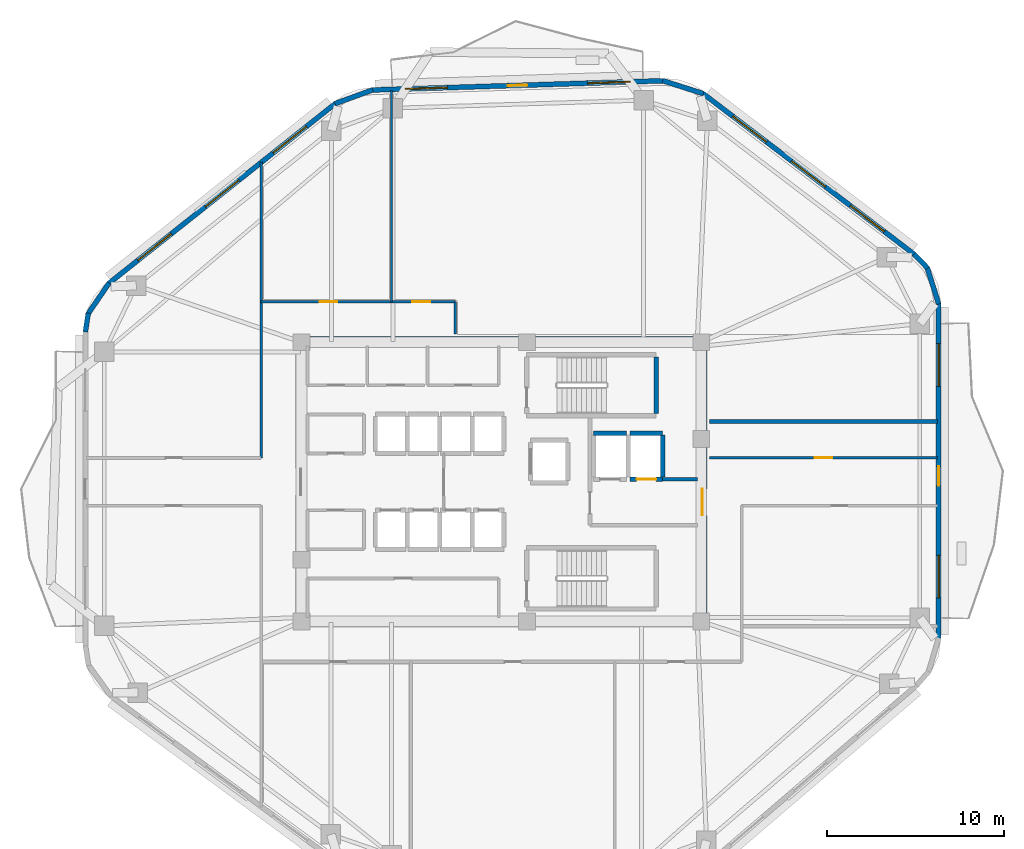
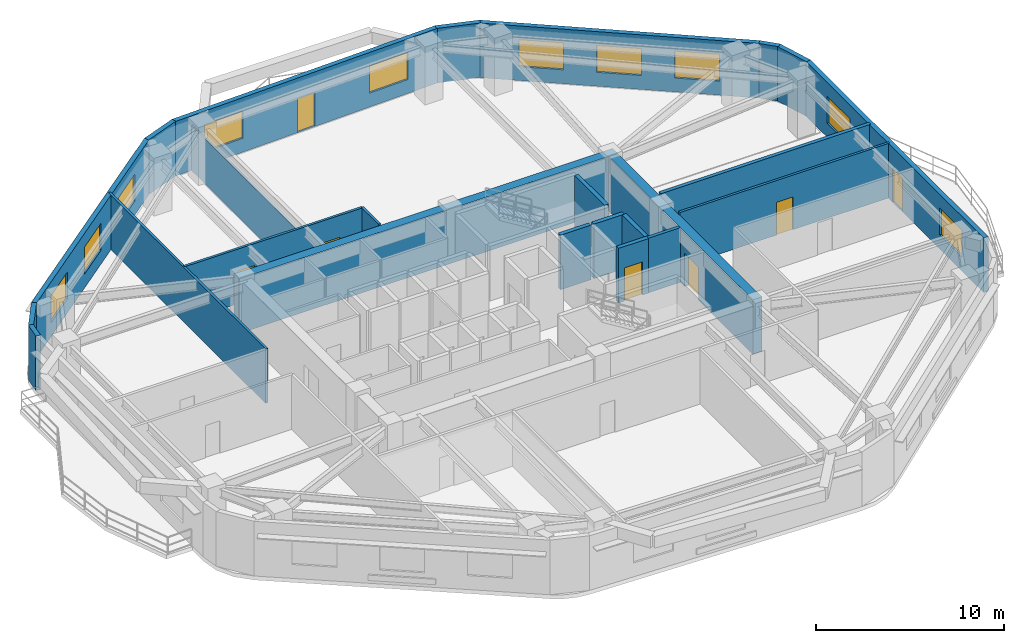
# One storey, part 5 of 8: 24 walls, 10 windows, 7 doors, 17 openings.
"""IFC4 building model written with IfcOpenShell, lengths in metres."""

from ifc_helpers import new_model, si_unit, direction, frame, frame_2d, origin, place, context, subcontext, project, spatial, rectangle, extrude, material, layer, layer_set, type_object, element, fill, save


model = new_model("IFC4")

# Units and contexts
model_context = context("Model", 3, precision=1e-05, world=origin(), true_north=direction((0.0, 1.0)))
body_context = subcontext(model_context, "Body", "Model", "MODEL_VIEW")
ifc_project = project(units=[si_unit("LENGTHUNIT", "METRE"), si_unit("AREAUNIT", "SQUARE_METRE"), si_unit("VOLUMEUNIT", "CUBIC_METRE"), si_unit("PLANEANGLEUNIT", "RADIAN"), si_unit("MASSUNIT", "GRAM", prefix="KILO")], contexts=[model_context])

# Site, building, storey
site_placement = place(None, origin())
site = spatial("IfcSite", under=ifc_project, at=site_placement, CompositionType="ELEMENT")
building_placement = place(site_placement, origin())
building = spatial("IfcBuilding", under=site, at=building_placement, Name="Zulverin Broadcast Headquarters", CompositionType="ELEMENT")
storey_placement = place(building_placement, frame((0.0, 0.0, 151.60009765625)))
storey = spatial("IfcBuildingStorey", under=building, at=storey_placement, Name="L38", CompositionType="ELEMENT", Elevation=151.60009765625)

# Walls
ifc_material_1 = material(Name="Double-stud acoustic drywall", Category="gypsum")
ifc_layer_1 = layer(ifc_material_1, 0.219970703125, Name="Double-stud acoustic drywall", Category="gypsum")
ifc_layer_set_1 = layer_set([ifc_layer_1], Name="Double-stud acoustic drywall")
wall_type_1 = type_object("IfcWallType", Name="WL-ACOU-220", PredefinedType="PARTITIONING", material=ifc_layer_set_1)
wall_1_placement = place(storey_placement, frame((48.739990234375, 28.60009765625, 0.0), z_axis=(0.0, 0.0, 1.0), x_axis=(1.0, 0.0, 0.0)))
element("IfcWall", 1, at=wall_1_placement, inside=storey, type_object=wall_type_1, Name="L38 Room Partition Wall RP-14", PredefinedType="PARTITIONING", context=body_context, shape_type="SweptSolid", body=[
    extrude(rectangle(XDim=12.85498046875, YDim=0.219970703125, at=frame_2d((6.427490234375, 0.0))), origin(), (0.0, 0.0, 1.0), 3.539794921875),
])
ifc_material_2 = material(Name="Concrete C60/75", Category="concrete")
ifc_layer_2 = layer(ifc_material_2, 0.550048828125, Name="Concrete C60/75", Category="concrete")
ifc_layer_set_2 = layer_set([ifc_layer_2], Name="Concrete C60/75")
wall_type_2 = type_object("IfcWallType", Name="WL-CORE-550", PredefinedType="SHEAR", material=ifc_layer_set_2)
wall_2_placement = place(storey_placement, frame((25.39990234375, 33.125, 0.0), z_axis=(0.0, 0.0, 1.0), x_axis=(1.0, 0.0, 0.0)))
element("IfcWall", 2, at=wall_2_placement, inside=storey, type_object=wall_type_2, Name="L38 Core North Shear Wall", PredefinedType="SHEAR", context=body_context, shape_type="SweptSolid", body=[
    extrude(rectangle(XDim=23.2001953125, YDim=0.550048828125, at=frame_2d((11.60009765625, 0.0))), origin(), (0.0, 0.0, 1.0), 3.539794921875),
])

# Wall, opening, door
wall_3_placement = place(storey_placement, frame((48.324951171875, 17.550048828125, 0.0), z_axis=(0.0, 0.0, 1.0), x_axis=(0.0, 1.0, 0.0)))
wall_3 = element("IfcWall", 3, at=wall_3_placement, inside=storey, type_object=wall_type_2, Name="L38 Core East Shear Wall", PredefinedType="SHEAR", context=body_context, shape_type="SweptSolid", body=[
    extrude(rectangle(XDim=15.300048828125, YDim=0.550048828125, at=frame_2d((7.64990234375, 0.0))), origin(), (0.0, 0.0, 1.0), 3.539794921875),
])
opening_1_placement = place(wall_3_placement, frame((5.75, 0.0, 0.0)))
opening_1 = element("IfcOpeningElement", 4, at=opening_1_placement, cuts=wall_3, Name="Opening D-L38-CE1", PredefinedType="OPENING", context=body_context, shape_type="SweptSolid", body=[
    extrude(rectangle(XDim=1.5, YDim=2.14990234375, at=frame_2d((0.75, 1.074951171875))), frame((0.0, 0.284912109375, 0.0), z_axis=(0.0, -1.0, 0.0), x_axis=(1.0, 0.0, 0.0)), (0.0, 0.0, 1.0), 0.570068359375),
])
ifc_material_3 = material(Name="Fire-rated glazed steel frame", Category="steel")
door_type_1 = type_object("IfcDoorType", Name="DR-COR-1500", OperationType="DOUBLE_DOOR_SINGLE_SWING", PredefinedType="DOOR", material=ifc_material_3)
door_1_placement = place(opening_1_placement, origin())
door_1 = element("IfcDoor", 5, at=door_1_placement, inside=storey, type_object=door_type_1, Name="L38 Firefighting Lobby East Corridor Door", OperationType="DOUBLE_DOOR_SINGLE_SWING", OverallHeight=2.14990234375, OverallWidth=1.5, PredefinedType="DOOR", context=body_context, shape_type="SweptSolid", body=[
    extrude(rectangle(XDim=1.5, YDim=2.14990234375, at=frame_2d((0.75, 1.074951171875))), frame((0.0, 0.02490234375, 0.0), z_axis=(0.0, -1.0, 0.0), x_axis=(1.0, 0.0, 0.0)), (0.0, 0.0, 1.0), 0.050048828125),
])
fill(opening_1, door_1)

# Wall, openings, door, windows
ifc_material_4 = material(Name="Insulated pale-metal clad concrete spandrel C40/50", Category="concrete")
ifc_layer_3 = layer(ifc_material_4, 0.280029296875, Name="Insulated pale-metal clad concrete spandrel C40/50", Category="concrete")
ifc_layer_set_3 = layer_set([ifc_layer_3], Name="Insulated pale-metal clad concrete spandrel C40/50")
wall_type_3 = type_object("IfcWallType", Name="WL-EXT-280", PredefinedType="STANDARD", material=ifc_layer_set_3)
wall_4_placement = place(storey_placement, frame((61.659912109375, 16.369384765625, 0.0), z_axis=(0.0, 0.0, 1.0), x_axis=(0.0, 1.0, 0.0)))
wall_4 = element("IfcWall", 6, at=wall_4_placement, inside=storey, type_object=wall_type_3, Name="L38 Pale-Metal Clad Spandrel Wall 3", PredefinedType="STANDARD", context=body_context, shape_type="SweptSolid", body=[
    extrude(rectangle(XDim=18.902099609375, YDim=0.280029296875, at=frame_2d((9.451171875, 0.0))), origin(), (0.0, 0.0, 1.0), 3.539794921875),
])
opening_2_placement = place(wall_4_placement, frame((8.60107421875, 0.0, 0.0)))
opening_2 = element("IfcOpeningElement", 7, at=opening_2_placement, cuts=wall_4, Name="Opening D-L38-TR3", PredefinedType="OPENING", context=body_context, shape_type="SweptSolid", body=[
    extrude(rectangle(XDim=1.10009765625, YDim=2.199951171875, at=frame_2d((0.550048828125, 1.10009765625))), frame((0.0, 0.14990234375, 0.0), z_axis=(0.0, -1.0, 0.0), x_axis=(1.0, 0.0, 0.0)), (0.0, 0.0, 1.0), 0.300048828125),
])
opening_3_placement = place(wall_4_placement, frame((2.28369140625, 0.0, 0.89990234375)))
opening_3 = element("IfcOpeningElement", 8, at=opening_3_placement, cuts=wall_4, Name="Opening W-L38-E31", PredefinedType="OPENING", context=body_context, shape_type="SweptSolid", body=[
    extrude(rectangle(XDim=2.39990234375, YDim=1.75, at=frame_2d((1.199951171875, 0.875))), frame((0.0, 0.14990234375, 0.0), z_axis=(0.0, -1.0, 0.0), x_axis=(1.0, 0.0, 0.0)), (0.0, 0.0, 1.0), 0.300048828125),
])
opening_4_placement = place(wall_4_placement, frame((14.218505859375, 0.0, 0.89990234375)))
opening_4 = element("IfcOpeningElement", 9, at=opening_4_placement, cuts=wall_4, Name="Opening W-L38-E32", PredefinedType="OPENING", context=body_context, shape_type="SweptSolid", body=[
    extrude(rectangle(XDim=2.39990234375, YDim=1.75, at=frame_2d((1.199951171875, 0.875))), frame((0.0, 0.14990234375, 0.0), z_axis=(0.0, -1.0, 0.0), x_axis=(1.0, 0.0, 0.0)), (0.0, 0.0, 1.0), 0.300048828125),
])
ifc_material_5 = material(Name="Thermally broken aluminium glazed", Category="aluminium")
door_type_2 = type_object("IfcDoorType", Name="DR-TERR-1100", OperationType="SINGLE_SWING_RIGHT", PredefinedType="DOOR", material=ifc_material_5)
door_2_placement = place(opening_2_placement, origin())
door_2 = element("IfcDoor", 10, at=door_2_placement, inside=storey, type_object=door_type_2, Name="L38 Planted Terrace Glazed Access Door 3", OperationType="SINGLE_SWING_RIGHT", OverallHeight=2.199951171875, OverallWidth=1.10009765625, PredefinedType="DOOR", context=body_context, shape_type="SweptSolid", body=[
    extrude(rectangle(XDim=1.10009765625, YDim=2.199951171875, at=frame_2d((0.550048828125, 1.10009765625))), frame((0.0, 0.02490234375, 0.0), z_axis=(0.0, -1.0, 0.0), x_axis=(1.0, 0.0, 0.0)), (0.0, 0.0, 1.0), 0.050048828125),
])
fill(opening_2, door_2)
ifc_material_6 = material(Name="Pale anodized aluminium frame with solar-control low-E double glazing", Category="aluminium")
window_type = type_object("IfcWindowType", Name="WIN-RIB-2400", PartitioningType="SINGLE_PANEL", PredefinedType="WINDOW", material=ifc_material_6)
window_1_placement = place(opening_3_placement, origin())
window_1 = element("IfcWindow", 11, at=window_1_placement, inside=storey, type_object=window_type, Name="L38 Ribbon Glazing Window 3 1", OverallHeight=1.75, OverallWidth=2.39990234375, PartitioningType="SINGLE_PANEL", PredefinedType="WINDOW", context=body_context, shape_type="SweptSolid", body=[
    extrude(rectangle(XDim=2.39990234375, YDim=1.75, at=frame_2d((1.199951171875, 0.875))), frame((0.0, 0.030029296875, 0.0), z_axis=(0.0, -1.0, 0.0), x_axis=(1.0, 0.0, 0.0)), (0.0, 0.0, 1.0), 0.06005859375),
])
fill(opening_3, window_1)
window_2_placement = place(opening_4_placement, origin())
window_2 = element("IfcWindow", 12, at=window_2_placement, inside=storey, type_object=window_type, Name="L38 Ribbon Glazing Window 3 2", OverallHeight=1.75, OverallWidth=2.39990234375, PartitioningType="SINGLE_PANEL", PredefinedType="WINDOW", context=body_context, shape_type="SweptSolid", body=[
    extrude(rectangle(XDim=2.39990234375, YDim=1.75, at=frame_2d((1.199951171875, 0.875))), frame((0.0, 0.030029296875, 0.0), z_axis=(0.0, -1.0, 0.0), x_axis=(1.0, 0.0, 0.0)), (0.0, 0.0, 1.0), 0.06005859375),
])
fill(opening_4, window_2)

# Wall, openings, windows
wall_5_placement = place(storey_placement, frame((60.294921875, 38.025146484375, 0.0), z_axis=(0.0, 0.0, 1.0), x_axis=(-0.795831760834, 0.605517801925, 0.0)))
wall_5 = element("IfcWall", 13, at=wall_5_placement, inside=storey, type_object=wall_type_3, Name="L38 Pale-Metal Clad Spandrel Wall 4", PredefinedType="STANDARD", context=body_context, shape_type="SweptSolid", body=[
    extrude(rectangle(XDim=15.01171875, YDim=0.280029296875, at=frame_2d((7.505859375, 0.0))), origin(), (0.0, 0.0, 1.0), 3.539794921875),
])
opening_5_placement = place(wall_5_placement, frame((2.13525390625, 0.0, 0.89990234375)))
opening_5 = element("IfcOpeningElement", 14, at=opening_5_placement, cuts=wall_5, Name="Opening W-L38-E41", PredefinedType="OPENING", context=body_context, shape_type="SweptSolid", body=[
    extrude(rectangle(XDim=2.39990234375, YDim=1.75, at=frame_2d((1.199951171875, 0.875))), frame((0.0, 0.14990234375, 0.0), z_axis=(0.0, -1.0, 0.0), x_axis=(1.0, 0.0, 0.0)), (0.0, 0.0, 1.0), 0.300048828125),
])
opening_6_placement = place(wall_5_placement, frame((6.305908203125, 0.0, 0.89990234375)))
opening_6 = element("IfcOpeningElement", 15, at=opening_6_placement, cuts=wall_5, Name="Opening W-L38-E42", PredefinedType="OPENING", context=body_context, shape_type="SweptSolid", body=[
    extrude(rectangle(XDim=2.39990234375, YDim=1.75, at=frame_2d((1.199951171875, 0.875))), frame((0.0, 0.14990234375, 0.0), z_axis=(0.0, -1.0, 0.0), x_axis=(1.0, 0.0, 0.0)), (0.0, 0.0, 1.0), 0.300048828125),
])
opening_7_placement = place(wall_5_placement, frame((10.4765625, 0.0, 0.89990234375)))
opening_7 = element("IfcOpeningElement", 16, at=opening_7_placement, cuts=wall_5, Name="Opening W-L38-E43", PredefinedType="OPENING", context=body_context, shape_type="SweptSolid", body=[
    extrude(rectangle(XDim=2.39990234375, YDim=1.75, at=frame_2d((1.199951171875, 0.875))), frame((0.0, 0.14990234375, 0.0), z_axis=(0.0, -1.0, 0.0), x_axis=(1.0, 0.0, 0.0)), (0.0, 0.0, 1.0), 0.300048828125),
])
window_3_placement = place(opening_5_placement, origin())
window_3 = element("IfcWindow", 17, at=window_3_placement, inside=storey, type_object=window_type, Name="L38 Ribbon Glazing Window 4 1", OverallHeight=1.75, OverallWidth=2.39990234375, PartitioningType="SINGLE_PANEL", PredefinedType="WINDOW", context=body_context, shape_type="SweptSolid", body=[
    extrude(rectangle(XDim=2.39990234375, YDim=1.75, at=frame_2d((1.199951171875, 0.875))), frame((0.0, 0.030029296875, 0.0), z_axis=(0.0, -1.0, 0.0), x_axis=(1.0, 0.0, 0.0)), (0.0, 0.0, 1.0), 0.06005859375),
])
fill(opening_5, window_3)
window_4_placement = place(opening_6_placement, origin())
window_4 = element("IfcWindow", 18, at=window_4_placement, inside=storey, type_object=window_type, Name="L38 Ribbon Glazing Window 4 2", OverallHeight=1.75, OverallWidth=2.39990234375, PartitioningType="SINGLE_PANEL", PredefinedType="WINDOW", context=body_context, shape_type="SweptSolid", body=[
    extrude(rectangle(XDim=2.39990234375, YDim=1.75, at=frame_2d((1.199951171875, 0.875))), frame((0.0, 0.030029296875, 0.0), z_axis=(0.0, -1.0, 0.0), x_axis=(1.0, 0.0, 0.0)), (0.0, 0.0, 1.0), 0.06005859375),
])
fill(opening_6, window_4)
window_5_placement = place(opening_7_placement, origin())
window_5 = element("IfcWindow", 19, at=window_5_placement, inside=storey, type_object=window_type, Name="L38 Ribbon Glazing Window 4 3", OverallHeight=1.75, OverallWidth=2.39990234375, PartitioningType="SINGLE_PANEL", PredefinedType="WINDOW", context=body_context, shape_type="SweptSolid", body=[
    extrude(rectangle(XDim=2.39990234375, YDim=1.75, at=frame_2d((1.199951171875, 0.875))), frame((0.0, 0.030029296875, 0.0), z_axis=(0.0, -1.0, 0.0), x_axis=(1.0, 0.0, 0.0)), (0.0, 0.0, 1.0), 0.06005859375),
])
fill(opening_7, window_5)

# Wall, openings, door, windows
wall_6_placement = place(storey_placement, frame((46.143310546875, 47.819580078125, 0.0), z_axis=(0.0, 0.0, 1.0), x_axis=(-0.999497065256, -0.031711457627, 0.0)))
wall_6 = element("IfcWall", 20, at=wall_6_placement, inside=storey, type_object=wall_type_3, Name="L38 Pale-Metal Clad Spandrel Wall 5", PredefinedType="STANDARD", context=body_context, shape_type="SweptSolid", body=[
    extrude(rectangle(XDim=16.452392578125, YDim=0.280029296875, at=frame_2d((8.22607421875, 0.0))), origin(), (0.0, 0.0, 1.0), 3.539794921875),
])
opening_8_placement = place(wall_6_placement, frame((7.67626953125, 0.0, 0.0)))
opening_8 = element("IfcOpeningElement", 21, at=opening_8_placement, cuts=wall_6, Name="Opening D-L38-TR5", PredefinedType="OPENING", context=body_context, shape_type="SweptSolid", body=[
    extrude(rectangle(XDim=1.10009765625, YDim=2.199951171875, at=frame_2d((0.550048828125, 1.10009765625))), frame((0.0, 0.14990234375, 0.0), z_axis=(0.0, -1.0, 0.0), x_axis=(1.0, 0.0, 0.0)), (0.0, 0.0, 1.0), 0.300048828125),
])
opening_9_placement = place(wall_6_placement, frame((1.87548828125, 0.0, 0.89990234375)))
opening_9 = element("IfcOpeningElement", 22, at=opening_9_placement, cuts=wall_6, Name="Opening W-L38-E51", PredefinedType="OPENING", context=body_context, shape_type="SweptSolid", body=[
    extrude(rectangle(XDim=2.39990234375, YDim=1.75, at=frame_2d((1.199951171875, 0.875))), frame((0.0, 0.14990234375, 0.0), z_axis=(0.0, -1.0, 0.0), x_axis=(1.0, 0.0, 0.0)), (0.0, 0.0, 1.0), 0.300048828125),
])
opening_10_placement = place(wall_6_placement, frame((12.177001953125, 0.0, 0.89990234375)))
opening_10 = element("IfcOpeningElement", 23, at=opening_10_placement, cuts=wall_6, Name="Opening W-L38-E52", PredefinedType="OPENING", context=body_context, shape_type="SweptSolid", body=[
    extrude(rectangle(XDim=2.39990234375, YDim=1.75, at=frame_2d((1.199951171875, 0.875))), frame((0.0, 0.14990234375, 0.0), z_axis=(0.0, -1.0, 0.0), x_axis=(1.0, 0.0, 0.0)), (0.0, 0.0, 1.0), 0.300048828125),
])
door_3_placement = place(opening_8_placement, origin())
door_3 = element("IfcDoor", 24, at=door_3_placement, inside=storey, type_object=door_type_2, Name="L38 Planted Terrace Glazed Access Door 5", OperationType="SINGLE_SWING_RIGHT", OverallHeight=2.199951171875, OverallWidth=1.10009765625, PredefinedType="DOOR", context=body_context, shape_type="SweptSolid", body=[
    extrude(rectangle(XDim=1.10009765625, YDim=2.199951171875, at=frame_2d((0.550048828125, 1.10009765625))), frame((0.0, 0.02490234375, 0.0), z_axis=(0.0, -1.0, 0.0), x_axis=(1.0, 0.0, 0.0)), (0.0, 0.0, 1.0), 0.050048828125),
])
fill(opening_8, door_3)
window_6_placement = place(opening_9_placement, origin())
window_6 = element("IfcWindow", 25, at=window_6_placement, inside=storey, type_object=window_type, Name="L38 Ribbon Glazing Window 5 1", OverallHeight=1.75, OverallWidth=2.39990234375, PartitioningType="SINGLE_PANEL", PredefinedType="WINDOW", context=body_context, shape_type="SweptSolid", body=[
    extrude(rectangle(XDim=2.39990234375, YDim=1.75, at=frame_2d((1.199951171875, 0.875))), frame((0.0, 0.030029296875, 0.0), z_axis=(0.0, -1.0, 0.0), x_axis=(1.0, 0.0, 0.0)), (0.0, 0.0, 1.0), 0.06005859375),
])
fill(opening_9, window_6)
window_7_placement = place(opening_10_placement, origin())
window_7 = element("IfcWindow", 26, at=window_7_placement, inside=storey, type_object=window_type, Name="L38 Ribbon Glazing Window 5 2", OverallHeight=1.75, OverallWidth=2.39990234375, PartitioningType="SINGLE_PANEL", PredefinedType="WINDOW", context=body_context, shape_type="SweptSolid", body=[
    extrude(rectangle(XDim=2.39990234375, YDim=1.75, at=frame_2d((1.199951171875, 0.875))), frame((0.0, 0.030029296875, 0.0), z_axis=(0.0, -1.0, 0.0), x_axis=(1.0, 0.0, 0.0)), (0.0, 0.0, 1.0), 0.06005859375),
])
fill(opening_10, window_7)

# Wall, openings, windows
wall_7_placement = place(storey_placement, frame((27.657958984375, 46.5498046875, 0.0), z_axis=(0.0, 0.0, 1.0), x_axis=(-0.783266285861, -0.621686356158, 0.0)))
wall_7 = element("IfcWall", 27, at=wall_7_placement, inside=storey, type_object=wall_type_3, Name="L38 Pale-Metal Clad Spandrel Wall 6", PredefinedType="STANDARD", context=body_context, shape_type="SweptSolid", body=[
    extrude(rectangle(XDim=16.35302734375, YDim=0.280029296875, at=frame_2d((8.176513671875, 0.0))), origin(), (0.0, 0.0, 1.0), 3.539794921875),
])
opening_11_placement = place(wall_7_placement, frame((2.10888671875, 0.0, 0.89990234375)))
opening_11 = element("IfcOpeningElement", 28, at=opening_11_placement, cuts=wall_7, Name="Opening W-L38-E61", PredefinedType="OPENING", context=body_context, shape_type="SweptSolid", body=[
    extrude(rectangle(XDim=2.39990234375, YDim=1.75, at=frame_2d((1.199951171875, 0.875))), frame((0.0, 0.14990234375, 0.0), z_axis=(0.0, -1.0, 0.0), x_axis=(1.0, 0.0, 0.0)), (0.0, 0.0, 1.0), 0.300048828125),
])
opening_12_placement = place(wall_7_placement, frame((6.9765625, 0.0, 0.89990234375)))
opening_12 = element("IfcOpeningElement", 29, at=opening_12_placement, cuts=wall_7, Name="Opening W-L38-E62", PredefinedType="OPENING", context=body_context, shape_type="SweptSolid", body=[
    extrude(rectangle(XDim=2.39990234375, YDim=1.75, at=frame_2d((1.199951171875, 0.875))), frame((0.0, 0.14990234375, 0.0), z_axis=(0.0, -1.0, 0.0), x_axis=(1.0, 0.0, 0.0)), (0.0, 0.0, 1.0), 0.300048828125),
])
opening_13_placement = place(wall_7_placement, frame((11.84423828125, 0.0, 0.89990234375)))
opening_13 = element("IfcOpeningElement", 30, at=opening_13_placement, cuts=wall_7, Name="Opening W-L38-E63", PredefinedType="OPENING", context=body_context, shape_type="SweptSolid", body=[
    extrude(rectangle(XDim=2.39990234375, YDim=1.75, at=frame_2d((1.199951171875, 0.875))), frame((0.0, 0.14990234375, 0.0), z_axis=(0.0, -1.0, 0.0), x_axis=(1.0, 0.0, 0.0)), (0.0, 0.0, 1.0), 0.300048828125),
])
window_8_placement = place(opening_11_placement, origin())
window_8 = element("IfcWindow", 31, at=window_8_placement, inside=storey, type_object=window_type, Name="L38 Ribbon Glazing Window 6 1", OverallHeight=1.75, OverallWidth=2.39990234375, PartitioningType="SINGLE_PANEL", PredefinedType="WINDOW", context=body_context, shape_type="SweptSolid", body=[
    extrude(rectangle(XDim=2.39990234375, YDim=1.75, at=frame_2d((1.199951171875, 0.875))), frame((0.0, 0.030029296875, 0.0), z_axis=(0.0, -1.0, 0.0), x_axis=(1.0, 0.0, 0.0)), (0.0, 0.0, 1.0), 0.06005859375),
])
fill(opening_11, window_8)
window_9_placement = place(opening_12_placement, origin())
window_9 = element("IfcWindow", 32, at=window_9_placement, inside=storey, type_object=window_type, Name="L38 Ribbon Glazing Window 6 2", OverallHeight=1.75, OverallWidth=2.39990234375, PartitioningType="SINGLE_PANEL", PredefinedType="WINDOW", context=body_context, shape_type="SweptSolid", body=[
    extrude(rectangle(XDim=2.39990234375, YDim=1.75, at=frame_2d((1.199951171875, 0.875))), frame((0.0, 0.030029296875, 0.0), z_axis=(0.0, -1.0, 0.0), x_axis=(1.0, 0.0, 0.0)), (0.0, 0.0, 1.0), 0.06005859375),
])
fill(opening_12, window_9)
window_10_placement = place(opening_13_placement, origin())
window_10 = element("IfcWindow", 33, at=window_10_placement, inside=storey, type_object=window_type, Name="L38 Ribbon Glazing Window 6 3", OverallHeight=1.75, OverallWidth=2.39990234375, PartitioningType="SINGLE_PANEL", PredefinedType="WINDOW", context=body_context, shape_type="SweptSolid", body=[
    extrude(rectangle(XDim=2.39990234375, YDim=1.75, at=frame_2d((1.199951171875, 0.875))), frame((0.0, 0.030029296875, 0.0), z_axis=(0.0, -1.0, 0.0), x_axis=(1.0, 0.0, 0.0)), (0.0, 0.0, 1.0), 0.06005859375),
])
fill(opening_13, window_10)

# Walls
wall_8_placement = place(storey_placement, frame((61.66650390625, 35.229248046875, 0.0), z_axis=(0.0, 0.0, 1.0), x_axis=(-0.302044777107, 0.953293738898, 0.0)))
element("IfcWall", 34, at=wall_8_placement, inside=storey, type_object=wall_type_3, Name="L38 Wind-Shaped Corner Spandrel Wall 3-1", PredefinedType="STANDARD", context=body_context, shape_type="SweptSolid", body=[
    extrude(rectangle(XDim=2.17431640625, YDim=0.280029296875, at=frame_2d((1.087158203125, 0.0))), origin(), (0.0, 0.0, 1.0), 3.539794921875),
])
wall_9_placement = place(storey_placement, frame((61.04248046875, 37.247314453125, 0.0), z_axis=(0.0, 0.0, 1.0), x_axis=(-0.694004126367, 0.719971022045, 0.0)))
element("IfcWall", 35, at=wall_9_placement, inside=storey, type_object=wall_type_3, Name="L38 Wind-Shaped Corner Spandrel Wall 3-2", PredefinedType="STANDARD", context=body_context, shape_type="SweptSolid", body=[
    extrude(rectangle(XDim=1.10009765625, YDim=0.280029296875, at=frame_2d((0.550048828125, 0.0))), origin(), (0.0, 0.0, 1.0), 3.539794921875),
])
wall_10_placement = place(storey_placement, frame((48.390380859375, 47.093017578125, 0.0), z_axis=(0.0, 0.0, 1.0), x_axis=(-0.952542948918, 0.304404222156, 0.0)))
element("IfcWall", 36, at=wall_10_placement, inside=storey, type_object=wall_type_3, Name="L38 Wind-Shaped Corner Spandrel Wall 4-1", PredefinedType="STANDARD", context=body_context, shape_type="SweptSolid", body=[
    extrude(rectangle(XDim=2.408447265625, YDim=0.280029296875, at=frame_2d((1.2041015625, 0.0))), origin(), (0.0, 0.0, 1.0), 3.539794921875),
])
wall_11_placement = place(storey_placement, frame((29.742919921875, 47.306396484375, 0.0), z_axis=(0.0, 0.0, 1.0), x_axis=(-0.93893328381, -0.344099242302, 0.0)))
element("IfcWall", 37, at=wall_11_placement, inside=storey, type_object=wall_type_3, Name="L38 Wind-Shaped Corner Spandrel Wall 5-1", PredefinedType="STANDARD", context=body_context, shape_type="SweptSolid", body=[
    extrude(rectangle(XDim=2.261962890625, YDim=0.280029296875, at=frame_2d((1.130859375, 0.0))), origin(), (0.0, 0.0, 1.0), 3.539794921875),
])
wall_12_placement = place(storey_placement, frame((14.877685546875, 36.4140625, 0.0), z_axis=(0.0, 0.0, 1.0), x_axis=(-0.564564614133, -0.825388875906, 0.0)))
element("IfcWall", 38, at=wall_12_placement, inside=storey, type_object=wall_type_3, Name="L38 Wind-Shaped Corner Spandrel Wall 6-1", PredefinedType="STANDARD", context=body_context, shape_type="SweptSolid", body=[
    extrude(rectangle(XDim=2.127685546875, YDim=0.280029296875, at=frame_2d((1.06396484375, 0.0))), origin(), (0.0, 0.0, 1.0), 3.539794921875),
])
wall_13_placement = place(storey_placement, frame((13.69921875, 34.716064453125, 0.0), z_axis=(0.0, 0.0, 1.0), x_axis=(-0.149549920187, -0.988754176412, 0.0)))
element("IfcWall", 39, at=wall_13_placement, inside=storey, type_object=wall_type_3, Name="L38 Wind-Shaped Corner Spandrel Wall 6-2", PredefinedType="STANDARD", context=body_context, shape_type="SweptSolid", body=[
    extrude(rectangle(XDim=1.075927734375, YDim=0.280029296875, at=frame_2d((0.5380859375, 0.0))), origin(), (0.0, 0.0, 1.0), 3.539794921875),
])
ifc_material_7 = material(Name="Concrete C40/50", Category="concrete")
ifc_layer_4 = layer(ifc_material_7, 0.199951171875, Name="Concrete C40/50", Category="concrete")
ifc_layer_set_4 = layer_set([ifc_layer_4], Name="Concrete C40/50")
wall_type_4 = type_object("IfcWallType", Name="WL-FFL-200", PredefinedType="SOLIDWALL", material=ifc_layer_set_4)
wall_14_placement = place(storey_placement, frame((46.10009765625, 25.35009765625, 0.0), z_axis=(0.0, 0.0, 1.0), x_axis=(1.0, 0.0, 0.0)))
element("IfcWall", 40, at=wall_14_placement, inside=storey, type_object=wall_type_4, Name="L38 Firefighting Lift Lobby North Wall", PredefinedType="SOLIDWALL", context=body_context, shape_type="SweptSolid", body=[
    extrude(rectangle(XDim=1.949951171875, YDim=0.199951171875, at=frame_2d((0.97509765625, 0.0))), origin(), (0.0, 0.0, 1.0), 3.539794921875),
])
ifc_material_8 = material(Name="Fire-rated acoustic laminated glass screen", Category="glass")
ifc_layer_5 = layer(ifc_material_8, 0.10009765625, Name="Fire-rated acoustic laminated glass screen", Category="glass")
ifc_layer_set_5 = layer_set([ifc_layer_5], Name="Fire-rated acoustic laminated glass screen")
wall_type_5 = type_object("IfcWallType", Name="WL-GLAZ-100", PredefinedType="PARTITIONING", material=ifc_layer_set_5)
wall_15_placement = place(storey_placement, frame((30.800048828125, 35.35009765625, 0.0), z_axis=(0.0, 0.0, 1.0), x_axis=(0.0, 1.0, 0.0)))
element("IfcWall", 41, at=wall_15_placement, inside=storey, type_object=wall_type_5, Name="L38 Room Partition Wall RP-05", PredefinedType="PARTITIONING", context=body_context, shape_type="SweptSolid", body=[
    extrude(rectangle(XDim=11.917724609375, YDim=0.10009765625, at=frame_2d((5.958984375, 0.0))), origin(), (0.0, 0.0, 1.0), 2.922607421875),
])
ifc_material_9 = material(Name="Fire-rated gypsum stud partition", Category="gypsum")
ifc_layer_6 = layer(ifc_material_9, 0.14990234375, Name="Fire-rated gypsum stud partition", Category="gypsum")
ifc_layer_set_6 = layer_set([ifc_layer_6], Name="Fire-rated gypsum stud partition")
wall_type_6 = type_object("IfcWallType", Name="WL-PART-150", PredefinedType="PARTITIONING", material=ifc_layer_set_6)
wall_16_placement = place(storey_placement, frame((34.39990234375, 33.5400390625, 0.0), z_axis=(0.0, 0.0, 1.0), x_axis=(0.0, 1.0, 0.0)))
element("IfcWall", 42, at=wall_16_placement, inside=storey, type_object=wall_type_6, Name="L38 Gallery Partition Wall CG-03", PredefinedType="PARTITIONING", context=body_context, shape_type="SweptSolid", body=[
    extrude(rectangle(XDim=1.81005859375, YDim=0.14990234375, at=frame_2d((0.905029296875, 0.0))), origin(), (0.0, 0.0, 1.0), 3.539794921875),
])
wall_17_placement = place(storey_placement, frame((23.449951171875, 26.550048828125, 0.0), z_axis=(0.0, 0.0, 1.0), x_axis=(0.0, 1.0, 0.0)))
element("IfcWall", 43, at=wall_17_placement, inside=storey, type_object=wall_type_6, Name="L38 Gallery Partition Wall CG-07", PredefinedType="PARTITIONING", context=body_context, shape_type="SweptSolid", body=[
    extrude(rectangle(XDim=16.698486328125, YDim=0.14990234375, at=frame_2d((8.34912109375, 0.0))), origin(), (0.0, 0.0, 1.0), 3.539794921875),
])

# Wall, opening, door
wall_18_placement = place(storey_placement, frame((48.739990234375, 26.550048828125, 0.0), z_axis=(0.0, 0.0, 1.0), x_axis=(1.0, 0.0, 0.0)))
wall_18 = element("IfcWall", 44, at=wall_18_placement, inside=storey, type_object=wall_type_6, Name="L38 Gallery Partition Wall CG-13", PredefinedType="PARTITIONING", context=body_context, shape_type="SweptSolid", body=[
    extrude(rectangle(XDim=12.85498046875, YDim=0.14990234375, at=frame_2d((6.427490234375, 0.0))), origin(), (0.0, 0.0, 1.0), 3.539794921875),
])
opening_14_placement = place(wall_18_placement, frame((5.927490234375, 0.0, 0.0)))
opening_14 = element("IfcOpeningElement", 45, at=opening_14_placement, cuts=wall_18, Name="Opening D-L38-09", PredefinedType="OPENING", context=body_context, shape_type="SweptSolid", body=[
    extrude(rectangle(XDim=1.0, YDim=2.1201171875, at=frame_2d((0.5, 1.06005859375))), frame((0.0, 0.0849609375, 0.0), z_axis=(0.0, -1.0, 0.0), x_axis=(1.0, 0.0, 0.0)), (0.0, 0.0, 1.0), 0.169921875),
])
ifc_material_10 = material(Name="Hardwood veneer acoustic leaf", Category="wood")
door_type_3 = type_object("IfcDoorType", Name="DR-OFF-1000", OperationType="SINGLE_SWING_LEFT", PredefinedType="DOOR", material=ifc_material_10)
door_4_placement = place(opening_14_placement, origin())
door_4 = element("IfcDoor", 46, at=door_4_placement, inside=storey, type_object=door_type_3, Name="L38 Network Operations Open Workplace Door", OperationType="SINGLE_SWING_RIGHT", OverallHeight=2.1201171875, OverallWidth=1.0, PredefinedType="DOOR", context=body_context, shape_type="SweptSolid", body=[
    extrude(rectangle(XDim=1.0, YDim=2.1201171875, at=frame_2d((0.5, 1.06005859375))), frame((0.0, 0.02490234375, 0.0), z_axis=(0.0, -1.0, 0.0), x_axis=(1.0, 0.0, 0.0)), (0.0, 0.0, 1.0), 0.050048828125),
])
fill(opening_14, door_4)

# Wall, openings, doors
wall_19_placement = place(storey_placement, frame((23.449951171875, 35.35009765625, 0.0), z_axis=(0.0, 0.0, 1.0), x_axis=(1.0, 0.0, 0.0)))
wall_19 = element("IfcWall", 47, at=wall_19_placement, inside=storey, type_object=wall_type_6, Name="L38 Gallery Partition Wall CG-15", PredefinedType="PARTITIONING", context=body_context, shape_type="SweptSolid", body=[
    extrude(rectangle(XDim=10.949951171875, YDim=0.14990234375, at=frame_2d((5.47509765625, 0.0))), origin(), (0.0, 0.0, 1.0), 3.539794921875),
])
opening_15_placement = place(wall_19_placement, frame((3.294921875, 0.0, 0.0)))
opening_15 = element("IfcOpeningElement", 48, at=opening_15_placement, cuts=wall_19, Name="Opening D-L38-01", PredefinedType="OPENING", context=body_context, shape_type="SweptSolid", body=[
    extrude(rectangle(XDim=1.0, YDim=2.1201171875, at=frame_2d((0.5, 1.06005859375))), frame((0.0, 0.0849609375, 0.0), z_axis=(0.0, -1.0, 0.0), x_axis=(1.0, 0.0, 0.0)), (0.0, 0.0, 1.0), 0.169921875),
])
opening_16_placement = place(wall_19_placement, frame((8.530029296875, 0.0, 0.0)))
opening_16 = element("IfcOpeningElement", 49, at=opening_16_placement, cuts=wall_19, Name="Opening D-L38-02", PredefinedType="OPENING", context=body_context, shape_type="SweptSolid", body=[
    extrude(rectangle(XDim=1.0, YDim=2.1201171875, at=frame_2d((0.5, 1.06005859375))), frame((0.0, 0.0849609375, 0.0), z_axis=(0.0, -1.0, 0.0), x_axis=(1.0, 0.0, 0.0)), (0.0, 0.0, 1.0), 0.169921875),
])
door_5_placement = place(opening_15_placement, origin())
door_5 = element("IfcDoor", 50, at=door_5_placement, inside=storey, type_object=door_type_3, Name="L38 Network Operations Open Workplace Door", OperationType="SINGLE_SWING_RIGHT", OverallHeight=2.1201171875, OverallWidth=1.0, PredefinedType="DOOR", context=body_context, shape_type="SweptSolid", body=[
    extrude(rectangle(XDim=1.0, YDim=2.1201171875, at=frame_2d((0.5, 1.06005859375))), frame((0.0, 0.02490234375, 0.0), z_axis=(0.0, -1.0, 0.0), x_axis=(1.0, 0.0, 0.0)), (0.0, 0.0, 1.0), 0.050048828125),
])
fill(opening_15, door_5)
door_6_placement = place(opening_16_placement, origin())
door_6 = element("IfcDoor", 51, at=door_6_placement, inside=storey, type_object=door_type_3, Name="L38 Ingest Control Office Door", OperationType="SINGLE_SWING_LEFT", OverallHeight=2.1201171875, OverallWidth=1.0, PredefinedType="DOOR", context=body_context, shape_type="SweptSolid", body=[
    extrude(rectangle(XDim=1.0, YDim=2.1201171875, at=frame_2d((0.5, 1.06005859375))), frame((0.0, 0.02490234375, 0.0), z_axis=(0.0, -1.0, 0.0), x_axis=(1.0, 0.0, 0.0)), (0.0, 0.0, 1.0), 0.050048828125),
])
fill(opening_16, door_6)

# Walls
ifc_material_11 = material(Name="Concrete C50/60", Category="concrete")
ifc_layer_7 = layer(ifc_material_11, 0.25, Name="Concrete C50/60", Category="concrete")
ifc_layer_set_7 = layer_set([ifc_layer_7], Name="Concrete C50/60")
wall_type_7 = type_object("IfcWallType", Name="WL-SHAFT-250", PredefinedType="SHEAR", material=ifc_layer_set_7)
wall_20_placement = place(storey_placement, frame((45.72509765625, 29.050048828125, 0.0), z_axis=(0.0, 0.0, 1.0), x_axis=(0.0, 1.0, 0.0)))
element("IfcWall", 52, at=wall_20_placement, inside=storey, type_object=wall_type_7, Name="L38 ST-1 Enclosure Wall E", PredefinedType="SHEAR", context=body_context, shape_type="SweptSolid", body=[
    extrude(rectangle(XDim=3.199951171875, YDim=0.25, at=frame_2d((1.60009765625, 0.0))), origin(), (0.0, 0.0, 1.0), 3.539794921875),
])
wall_21_placement = place(storey_placement, frame((42.199951171875, 27.949951171875, 0.0), z_axis=(0.0, 0.0, 1.0), x_axis=(1.0, 0.0, 0.0)))
element("IfcWall", 53, at=wall_21_placement, inside=storey, type_object=wall_type_7, Name="L38 Lift FFL-1 Shaft Wall N", PredefinedType="SHEAR", context=body_context, shape_type="SweptSolid", body=[
    extrude(rectangle(XDim=1.85009765625, YDim=0.25, at=frame_2d((0.925048828125, 0.0))), origin(), (0.0, 0.0, 1.0), 3.539794921875),
])

# Wall, opening, door
wall_22_placement = place(storey_placement, frame((44.25, 25.35009765625, 0.0), z_axis=(0.0, 0.0, 1.0), x_axis=(1.0, 0.0, 0.0)))
wall_22 = element("IfcWall", 54, at=wall_22_placement, inside=storey, type_object=wall_type_7, Name="L38 Lift FFL-2 Shaft Wall S", PredefinedType="SHEAR", context=body_context, shape_type="SweptSolid", body=[
    extrude(rectangle(XDim=1.85009765625, YDim=0.25, at=frame_2d((0.925048828125, 0.0))), origin(), (0.0, 0.0, 1.0), 3.539794921875),
])
opening_17_placement = place(wall_22_placement, frame((0.375, 0.0, 0.0)))
opening_17 = element("IfcOpeningElement", 55, at=opening_17_placement, cuts=wall_22, Name="Opening LD-FFL-2-L38", PredefinedType="OPENING", context=body_context, shape_type="SweptSolid", body=[
    extrude(rectangle(XDim=1.10009765625, YDim=2.14990234375, at=frame_2d((0.550048828125, 1.074951171875))), frame((0.0, 0.135009765625, 0.0), z_axis=(0.0, -1.0, 0.0), x_axis=(1.0, 0.0, 0.0)), (0.0, 0.0, 1.0), 0.27001953125),
])
ifc_material_12 = material(Name="Fire-rated stainless landing door", Category="steel")
door_type_4 = type_object("IfcDoorType", Name="LD-FFL-1100", OperationType="DOUBLE_DOOR_SLIDING", PredefinedType="DOOR", material=ifc_material_12)
door_7_placement = place(opening_17_placement, origin())
door_7 = element("IfcDoor", 56, at=door_7_placement, inside=storey, type_object=door_type_4, Name="L38 Lift FFL-2 Sliding Landing Door", OperationType="DOUBLE_DOOR_SLIDING", OverallHeight=2.14990234375, OverallWidth=1.10009765625, PredefinedType="DOOR", context=body_context, shape_type="SweptSolid", body=[
    extrude(rectangle(XDim=1.10009765625, YDim=2.14990234375, at=frame_2d((0.550048828125, 1.074951171875))), frame((0.0, 0.02490234375, 0.0), z_axis=(0.0, -1.0, 0.0), x_axis=(1.0, 0.0, 0.0)), (0.0, 0.0, 1.0), 0.050048828125),
])
fill(opening_17, door_7)

# Walls
wall_23_placement = place(storey_placement, frame((44.25, 27.949951171875, 0.0), z_axis=(0.0, 0.0, 1.0), x_axis=(1.0, 0.0, 0.0)))
element("IfcWall", 57, at=wall_23_placement, inside=storey, type_object=wall_type_7, Name="L38 Lift FFL-2 Shaft Wall N", PredefinedType="SHEAR", context=body_context, shape_type="SweptSolid", body=[
    extrude(rectangle(XDim=1.85009765625, YDim=0.25, at=frame_2d((0.925048828125, 0.0))), origin(), (0.0, 0.0, 1.0), 3.539794921875),
])
wall_24_placement = place(storey_placement, frame((46.10009765625, 25.469970703125, 0.0), z_axis=(0.0, 0.0, 1.0), x_axis=(0.0, 1.0, 0.0)))
element("IfcWall", 58, at=wall_24_placement, inside=storey, type_object=wall_type_7, Name="L38 Lift FFL-2 Shaft Wall E", PredefinedType="SHEAR", context=body_context, shape_type="SweptSolid", body=[
    extrude(rectangle(XDim=2.360107421875, YDim=0.25, at=frame_2d((1.18017578125, 0.0))), origin(), (0.0, 0.0, 1.0), 3.539794921875),
])

save(model, "model.ifc")
